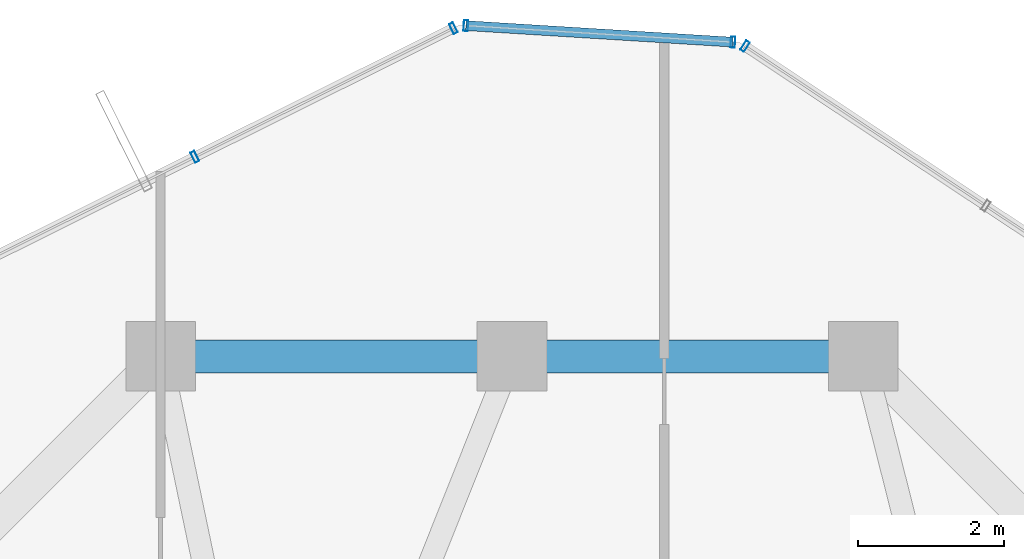
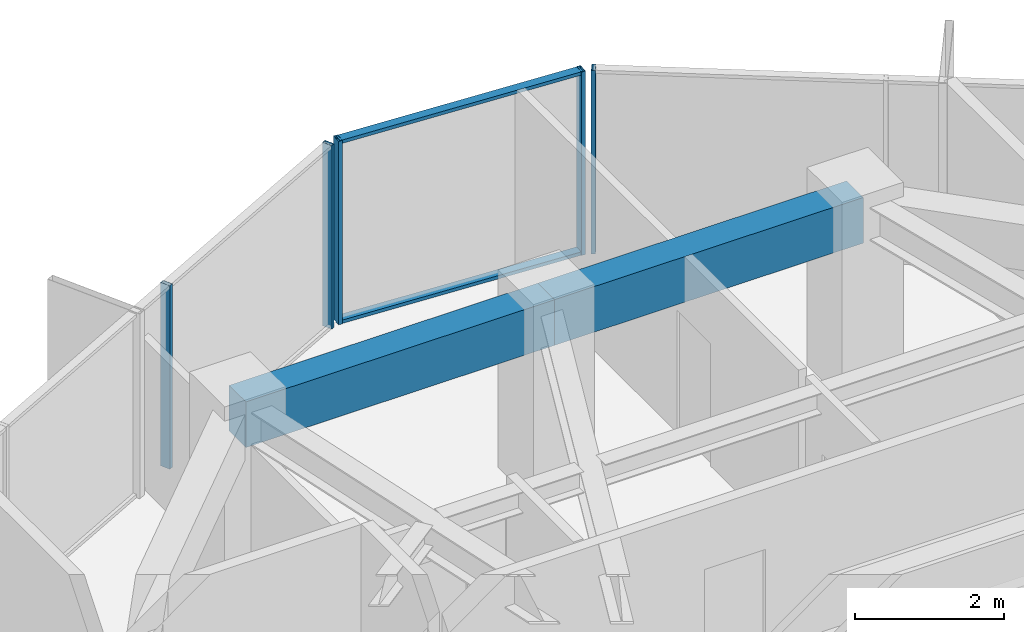
# One storey, part 20 of 29: 7 members, 2 beams, 3 elements without a shape of their own.
"""IFC4 building model written with IfcOpenShell, lengths in metres."""

from ifc_helpers import new_model, si_unit, direction, frame, origin, origin_2d, place, context, subcontext, project, spatial, rectangle, hollow_rectangle, extrude, source, transform, mapped, material, layer, layer_set, material_profile, profile_set, type_object, element, aggregate, save


model = new_model("IFC4")

# Units and contexts
model_context = context("Model", 3, precision=1e-05, world=origin(), true_north=direction((0.0, 1.0)))
body_context = subcontext(model_context, "Body", "Model", "MODEL_VIEW")
ifc_project = project(units=[si_unit("LENGTHUNIT", "METRE"), si_unit("AREAUNIT", "SQUARE_METRE"), si_unit("VOLUMEUNIT", "CUBIC_METRE"), si_unit("PLANEANGLEUNIT", "RADIAN"), si_unit("MASSUNIT", "GRAM", prefix="KILO")], contexts=[model_context])

# Site, building, storey
site_placement = place(None, origin())
site = spatial("IfcSite", under=ifc_project, at=site_placement, CompositionType="ELEMENT")
building_placement = place(site_placement, origin())
building = spatial("IfcBuilding", under=site, at=building_placement, Name="Veraguas Prism Commons", CompositionType="ELEMENT")
storey_placement = place(building_placement, frame((0.0, 0.0, 218.89990234375)))
storey = spatial("IfcBuildingStorey", under=building, at=storey_placement, Name="L62", CompositionType="ELEMENT", Elevation=218.89990234375)

# Beams
ifc_material_1 = material(Name="Concrete C50/60", Category="concrete")
ifc_material_profile_1 = material_profile(ifc_material_1, rectangle(XDim=0.449951171875, YDim=0.75, at=origin_2d()), Name="RC450X750")
ifc_profile_set_1 = profile_set([ifc_material_profile_1], Name="Concrete C50/60")
beam_type = type_object("IfcBeamType", Name="Perimeter Spandrel Upper RC 450x750", PredefinedType="SPANDREL", material=ifc_profile_set_1)
for number, where, z_axis, x_axis, name in (
    (1, (28.800048828125, 38.89990234375, 2.64013671875), (-1.0, 0.0, 0.0), (0.0, -1.0, 0.0), "Perimeter Spandrel Beam L62-SP04"),
    (2, (24.0, 38.89990234375, 2.64013671875), (-1.0, 0.0, 0.0), (0.0, -1.0, 0.0), "Perimeter Spandrel Beam L62-SP05"),
):
    element("IfcBeam", number, at=place(storey_placement, frame(where, z_axis=z_axis, x_axis=x_axis)), inside=storey, type_object=beam_type, Name=name, PredefinedType="SPANDREL", context=body_context, shape_type="SweptSolid", body=[
        extrude(rectangle(XDim=0.449951171875, YDim=0.75, at=origin_2d()), origin(), (0.0, 0.0, 1.0), 4.800048828125),
    ])

# Curtain wall, members
ifc_material_2 = material(Name="Anodised aluminium EN AW-6063 T6", Category="aluminium")
ifc_layer = layer(ifc_material_2, 0.14990234375, Name="Unitised Flush Curtain Wall Zone 3", Category="aluminium")
ifc_layer_set = layer_set([ifc_layer], Name="Anodised aluminium EN AW-6063 T6")
curtain_wall_type = type_object("IfcCurtainWallType", Name="Unitised Flush Curtain Wall Zone 3", PredefinedType="NOTDEFINED", material=ifc_layer_set)
curtain_wall_1_placement = place(storey_placement, origin())
curtain_wall_1 = element("IfcCurtainWall", 3, at=curtain_wall_1_placement, inside=storey, type_object=curtain_wall_type, Name="Chamfer Curtain Wall L62-C2", PredefinedType="NOTDEFINED")
ifc_material_profile_2 = material_profile(ifc_material_2, hollow_rectangle(XDim=0.054931640625, YDim=0.135009765625, WallThickness=0.0029296875, at=origin_2d()), Name="AL55X135X3")
ifc_profile_set_2 = profile_set([ifc_material_profile_2], Name="Anodised aluminium EN AW-6063 T6")
member_type_1 = type_object("IfcMemberType", Name="Curtain Wall Transom Standard AL 55x135x3", PredefinedType="USERDEFINED", material=ifc_profile_set_2)
shared_shape_1 = source(origin(), body_context, "Body", "SweptSolid", [
    extrude(hollow_rectangle(XDim=0.054931640625, YDim=0.135009765625, WallThickness=0.0029296875, at=origin_2d()), origin(), (0.0, 0.0, 1.0), 3.654541015625),
])
member_1_placement = place(storey_placement, frame((27.01806640625, 43.193359375, 0.027587890625), z_axis=(-0.998092919541, 0.06172944161, 0.0), x_axis=(0.0, 0.0, 1.0)))
member_1 = element("IfcMember", 4, at=member_1_placement, type_object=member_type_1, Name="CW-Z3 Transom 1", ObjectType="TRANSOM", PredefinedType="USERDEFINED", context=body_context, shape_type="MappedRepresentation", body=[
    mapped(shared_shape_1, transform((0.0, 0.0, 0.0), scale=1.0)),
])
member_2_placement = place(storey_placement, frame((27.01806640625, 43.193359375, 2.987548828125), z_axis=(-0.998092919541, 0.06172944161, 0.0), x_axis=(0.0, 0.0, 1.0)))
member_2 = element("IfcMember", 5, at=member_2_placement, type_object=member_type_1, Name="CW-Z3 Transom 2", ObjectType="TRANSOM", PredefinedType="USERDEFINED", context=body_context, shape_type="MappedRepresentation", body=[
    mapped(shared_shape_1, transform((0.0, 0.0, 0.0), scale=1.0)),
])

# Curtain wall, member
curtain_wall_2_placement = place(storey_placement, origin())
curtain_wall_2 = element("IfcCurtainWall", 6, at=curtain_wall_2_placement, inside=storey, type_object=curtain_wall_type, Name="Tower Facade Curtain Wall L62-F1", PredefinedType="NOTDEFINED")
ifc_material_profile_3 = material_profile(ifc_material_2, hollow_rectangle(XDim=0.06005859375, YDim=0.14990234375, WallThickness=0.0029296875, at=origin_2d()), Name="AL60X150X3")
ifc_profile_set_3 = profile_set([ifc_material_profile_3], Name="Anodised aluminium EN AW-6063 T6")
member_type_2 = type_object("IfcMemberType", Name="Curtain Wall Mullion Upper AL 60x150x3", PredefinedType="MULLION", material=ifc_profile_set_3)
shared_shape_2 = source(origin(), body_context, "Body", "SweptSolid", [
    extrude(hollow_rectangle(XDim=0.06005859375, YDim=0.14990234375, WallThickness=0.0029296875, at=origin_2d()), origin(), (0.0, 0.0, 1.0), 3.01513671875),
])
member_3_placement = place(storey_placement, frame((27.182861328125, 43.137939453125, 0.0), z_axis=(0.0, 0.0, 1.0), x_axis=(-0.833503187151, 0.552514648683, 0.0)))
member_3 = element("IfcMember", 7, at=member_3_placement, type_object=member_type_2, Name="CW-Z3 Mullion 5", PredefinedType="MULLION", context=body_context, shape_type="MappedRepresentation", body=[
    mapped(shared_shape_2, transform((0.0, 0.0, 0.0), scale=1.0)),
])
aggregate(curtain_wall_2, [member_3])

# Curtain wall, members
curtain_wall_3_placement = place(storey_placement, origin())
curtain_wall_3 = element("IfcCurtainWall", 8, at=curtain_wall_3_placement, inside=storey, type_object=curtain_wall_type, Name="Tower Facade Curtain Wall L62-F2", PredefinedType="NOTDEFINED")
member_4_placement = place(storey_placement, frame((23.2001953125, 43.384521484375, 0.0), z_axis=(0.0, 0.0, 1.0), x_axis=(-0.895243315298, -0.445577609866, 0.0)))
member_4 = element("IfcMember", 9, at=member_4_placement, type_object=member_type_2, Name="CW-Z3 Mullion 1", PredefinedType="MULLION", context=body_context, shape_type="MappedRepresentation", body=[
    mapped(shared_shape_2, transform((0.0, 0.0, 0.0), scale=1.0)),
])
member_5_placement = place(storey_placement, frame((19.66796875, 41.62646484375, 0.0), z_axis=(0.0, 0.0, 1.0), x_axis=(-0.895243315298, -0.445577609866, 0.0)))
member_5 = element("IfcMember", 10, at=member_5_placement, type_object=member_type_2, Name="CW-Z3 Mullion 2", PredefinedType="MULLION", context=body_context, shape_type="MappedRepresentation", body=[
    mapped(shared_shape_2, transform((0.0, 0.0, 0.0), scale=1.0)),
])
aggregate(curtain_wall_3, [member_4, member_5])

# Member
member_6_placement = place(storey_placement, frame((27.01806640625, 43.193359375, 0.0), z_axis=(0.0, 0.0, 1.0), x_axis=(-0.99809107304, 0.061759290132, 0.0)))
member_6 = element("IfcMember", 11, at=member_6_placement, type_object=member_type_2, Name="CW-Z3 Mullion 1", PredefinedType="MULLION", context=body_context, shape_type="MappedRepresentation", body=[
    mapped(shared_shape_2, transform((0.0, 0.0, 0.0), scale=1.0)),
])

member_7_placement = place(storey_placement, frame((23.37060546875, 43.4189453125, 0.0), z_axis=(0.0, 0.0, 1.0), x_axis=(-0.99809107304, 0.061759290132, 0.0)))
member_7 = element("IfcMember", 12, at=member_7_placement, type_object=member_type_2, Name="CW-Z3 Mullion 2", PredefinedType="MULLION", context=body_context, shape_type="MappedRepresentation", body=[
    mapped(shared_shape_2, transform((0.0, 0.0, 0.0), scale=1.0)),
])

aggregate(curtain_wall_1, [member_6, member_7, member_1, member_2])

save(model, "model.ifc")
